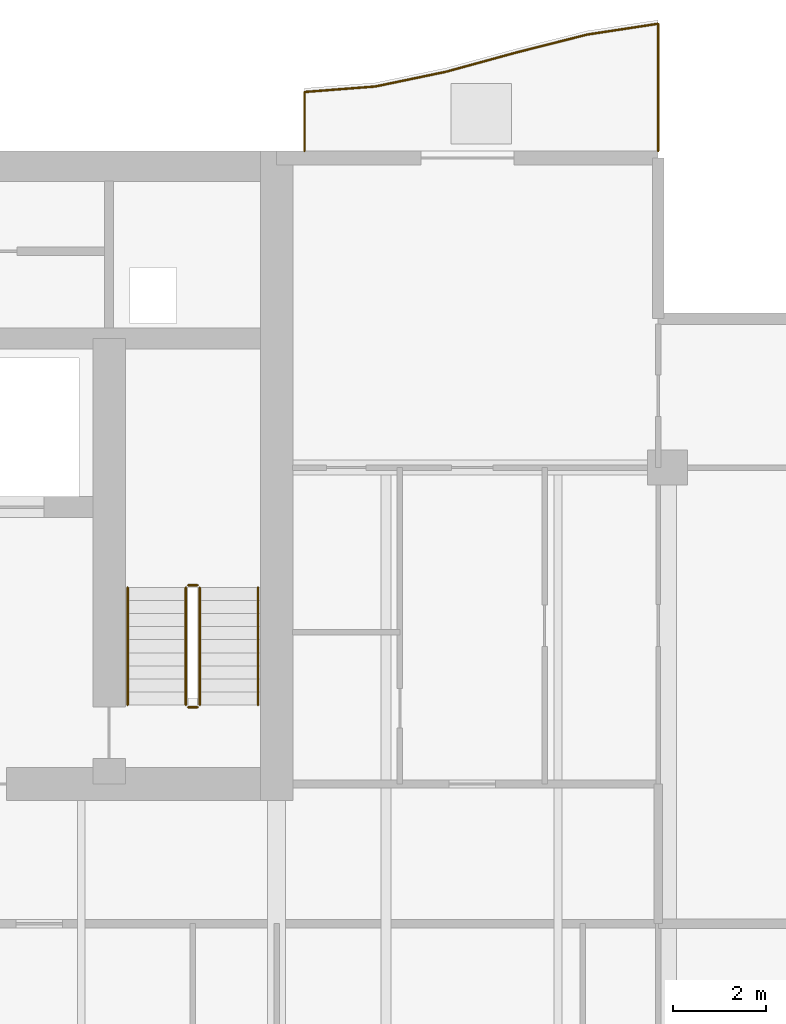
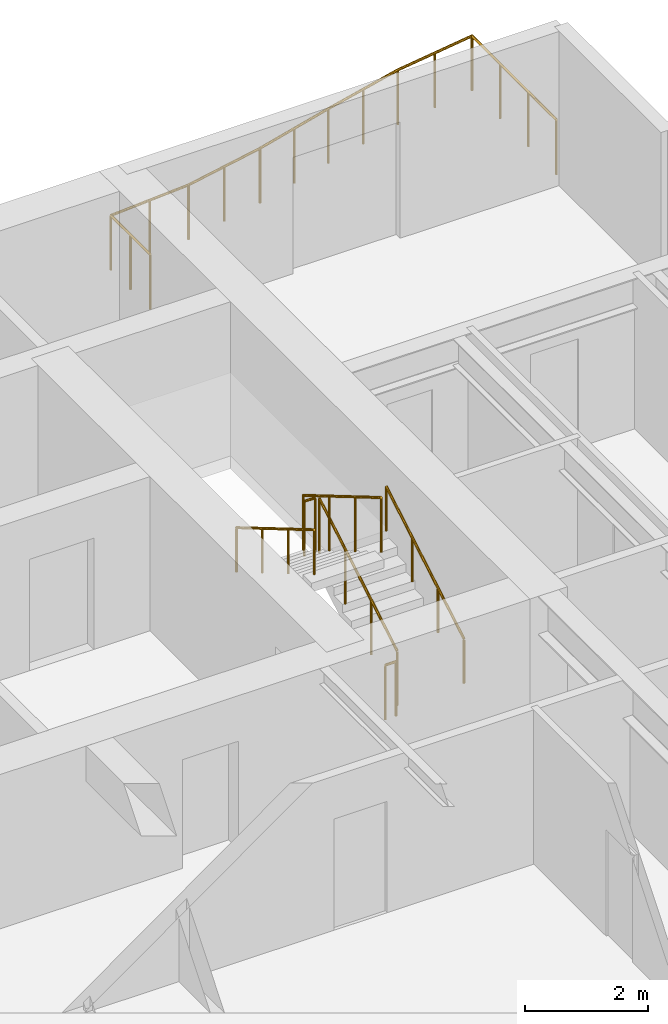
# One storey, part 16 of 17: 7 railings.
"""IFC4 building model written with IfcOpenShell, lengths in metres."""

import ifcopenshell
import ifcopenshell.guid

model = None  # the IFC model being written
_history = None  # IfcOwnerHistory: only IFC2X3 demands one
_inside = {}  # id of a spatial element -> (the spatial element, [elements in it])
_under = {}  # id of a project, library or spatial element -> (it, [spatial elements below it])
_declared = {}  # id of a project -> (the project, [libraries it declares])
_typed = {}  # id of a type object -> (the type object, [elements of that type])
_made_of = {}  # id of a material, layer set ... -> (it, [elements and type objects made of it])


def new_model(schema):
    """Start an empty IFC model of exactly this schema.

    Asked for "IFC4X3", IfcOpenShell would pick the latest addendum, in which some entities
    have other attributes; the version numbers below select the first issue.
    IFC2X3 requires an IfcOwnerHistory on every rooted entity: one is made here for all.
    """
    global model, _history
    if schema == "IFC4X3":
        model = ifcopenshell.file(schema_version=(4, 3, 0, 0))
    else:
        model = ifcopenshell.file(schema=schema)
    _inside.clear()
    _under.clear()
    _declared.clear()
    _typed.clear()
    _made_of.clear()
    _history = None
    if model.schema == "IFC2X3":
        org = make("IfcOrganization", Name="unknown")
        user = make(
            "IfcPersonAndOrganization",
            ThePerson=make("IfcPerson", FamilyName="unknown"),
            TheOrganization=org,
        )
        app = make(
            "IfcApplication",
            ApplicationDeveloper=org,
            Version="unknown",
            ApplicationFullName="unknown",
            ApplicationIdentifier="unknown",
        )
        _history = make(
            "IfcOwnerHistory",
            OwningUser=user,
            OwningApplication=app,
            ChangeAction="ADDED",
            CreationDate=0,
        )
    return model


def make(cls, **values):
    """One entity of the class cls with the attributes given. An attribute that is None is left unset."""
    return model.create_entity(
        cls, **{name: value for name, value in values.items() if value is not None}
    )


def rooted(cls, **values):
    """An entity with a GlobalId (a new one), such as an element, a storey or a relation."""
    return make(cls, GlobalId=ifcopenshell.guid.new(), OwnerHistory=_history, **values)


def si_unit(unit_type, name, prefix=None):
    """IfcSIUnit, for example si_unit("LENGTHUNIT", "METRE", prefix="MILLI")."""
    return make("IfcSIUnit", UnitType=unit_type, Prefix=prefix, Name=name)


def assignment(units):
    """IfcUnitAssignment: the units of a project."""
    return None if units is None else make("IfcUnitAssignment", Units=units)


def point(xyz):
    """IfcCartesianPoint."""
    return None if xyz is None else make("IfcCartesianPoint", Coordinates=xyz)


def direction(xyz):
    """IfcDirection."""
    return None if xyz is None else make("IfcDirection", DirectionRatios=xyz)


def frame(location, z_axis=None, x_axis=None):
    """IfcAxis2Placement3D, a coordinate frame: its origin and axes. An axis left out is left unset."""
    return make(
        "IfcAxis2Placement3D",
        Location=point(location),
        Axis=direction(z_axis),
        RefDirection=direction(x_axis),
    )


def frame_2d(location, x_axis=None):
    """IfcAxis2Placement2D, a coordinate frame in the plane: its origin and x axis."""
    return make(
        "IfcAxis2Placement2D", Location=point(location), RefDirection=direction(x_axis)
    )


def origin():
    """The frame at (0, 0, 0) with its axes left unset."""
    return frame((0.0, 0.0, 0.0))


def origin_2d():
    """The frame at (0, 0) in the plane with its x axis left unset."""
    return frame_2d((0.0, 0.0))


def place(relative_to, where):
    """IfcLocalPlacement: puts the frame where relative to a parent placement (None: the world)."""
    return make(
        "IfcLocalPlacement", PlacementRelTo=relative_to, RelativePlacement=where
    )


def context(
    kind, dimensions, precision=None, world=None, true_north=None, identifier=None
):
    """IfcGeometricRepresentationContext, for example the 3D "Model" context."""
    return make(
        "IfcGeometricRepresentationContext",
        ContextIdentifier=identifier,
        ContextType=kind,
        CoordinateSpaceDimension=dimensions,
        Precision=precision,
        WorldCoordinateSystem=world,
        TrueNorth=true_north,
    )


def subcontext(parent, identifier, kind, view, scale=None):
    """IfcGeometricRepresentationSubContext, for example "Body" below "Model"."""
    return make(
        "IfcGeometricRepresentationSubContext",
        ContextIdentifier=identifier,
        ContextType=kind,
        ParentContext=parent,
        TargetScale=scale,
        TargetView=view,
    )


def project(units=None, contexts=None):
    """IfcProject with its units and contexts."""
    return rooted(
        "IfcProject",
        Name="project",
        RepresentationContexts=contexts,
        UnitsInContext=assignment(units),
    )


def spatial(cls, under=None, at=None, **own):
    """A site, building, storey or space (cls), placed at a placement, below another one or the project."""
    s = rooted(cls, ObjectPlacement=at, **own)
    if under is not None:
        _under.setdefault(under.id(), (under, []))[1].append(s)
    return s


def profile(cls, at=None, kind="AREA", **sizes):
    """A parametric profile (cls). Its sizes go by their IFC names, for example OverallWidth=200.0."""
    return make(cls, ProfileType=kind, Position=at, **sizes)


def circle(**sizes):
    """IfcCircleProfileDef."""
    return profile("IfcCircleProfileDef", **sizes)


def extrude(swept, where, along, depth):
    """IfcExtrudedAreaSolid: the profile swept, set in the frame where, extruded along a direction by depth."""
    return make(
        "IfcExtrudedAreaSolid",
        SweptArea=swept,
        Position=where,
        ExtrudedDirection=direction(along),
        Depth=depth,
    )


def shape(context_of_items, identifier, shape_type, items):
    """IfcShapeRepresentation: the items that make up one representation, for example the "Body"."""
    return make(
        "IfcShapeRepresentation",
        ContextOfItems=context_of_items,
        RepresentationIdentifier=identifier,
        RepresentationType=shape_type,
        Items=items,
    )


def material(Name=None, Category=None):
    """IfcMaterial."""
    return make("IfcMaterial", Name=Name, Category=Category)


def made_of(thing, what):
    """Note that an element or type object is made of a material, layer set ...; save() writes the relation."""
    if what is not None:
        _made_of.setdefault(what.id(), (what, []))[1].append(thing)
    return thing


def type_object(cls, material=None, **own):
    """A type object (cls), such as IfcWallType, which elements share."""
    return made_of(rooted(cls, **own), material)


def element(
    cls,
    number,
    at=None,
    inside=None,
    cuts=None,
    type_object=None,
    material=None,
    context=None,
    identifier="Body",
    shape_type=None,
    held_by="IfcProductDefinitionShape",
    body=None,
    shapes=None,
    **own,
):
    """One element of the class cls, such as IfcWall. Its Tag is "e" and its number.

    at: its placement. inside: the storey or other place that contains it. cuts: it is an
    opening in that element (IfcRelVoidsElement). A single representation is given by context,
    identifier, shape_type and body (its items); several are given by shapes. held_by: the class
    of the entity that holds the representations. save() writes the other relations.
    """
    e = rooted(cls, Tag="e%d" % number, ObjectPlacement=at, **own)
    if body is not None:
        shapes = [shape(context, identifier, shape_type, body)]
    if shapes is not None:
        e.Representation = make(held_by, Representations=shapes)
    if inside is not None:
        _inside.setdefault(inside.id(), (inside, []))[1].append(e)
    if cuts is not None:
        rooted(
            "IfcRelVoidsElement", RelatingBuildingElement=cuts, RelatedOpeningElement=e
        )
    if type_object is not None:
        _typed.setdefault(type_object.id(), (type_object, []))[1].append(e)
    return made_of(e, material)


def aggregate(whole, parts):
    """IfcRelAggregates: a whole, such as a stair, and the parts it consists of."""
    return rooted("IfcRelAggregates", RelatingObject=whole, RelatedObjects=parts)


def save(model, path):
    """Write the relations noted so far, then the file.

    IfcRelAggregates (storeys below a building ...), IfcRelContainedInSpatialStructure (elements
    in a storey), IfcRelDefinesByType, IfcRelAssociatesMaterial and IfcRelDeclares: one each for
    every whole, place, type object, material and project.
    """
    for whole, parts in _under.values():
        aggregate(whole, parts)
    for where, things in _inside.values():
        rooted(
            "IfcRelContainedInSpatialStructure",
            RelatedElements=things,
            RelatingStructure=where,
        )
    for kind, things in _typed.values():
        rooted("IfcRelDefinesByType", RelatedObjects=things, RelatingType=kind)
    for what, things in _made_of.values():
        rooted("IfcRelAssociatesMaterial", RelatedObjects=things, RelatingMaterial=what)
    for by, libraries in _declared.values():
        rooted("IfcRelDeclares", RelatingContext=by, RelatedDefinitions=libraries)
    model.write(path)


model = new_model("IFC4")

# Units and contexts
model_context = context("Model", 3, precision=1e-05, world=origin(), true_north=direction((0.0, 1.0)))
body_context = subcontext(model_context, "Body", "Model", "MODEL_VIEW")
ifc_project = project(units=[si_unit("LENGTHUNIT", "METRE"), si_unit("AREAUNIT", "SQUARE_METRE"), si_unit("VOLUMEUNIT", "CUBIC_METRE"), si_unit("PLANEANGLEUNIT", "RADIAN"), si_unit("MASSUNIT", "GRAM", prefix="KILO")], contexts=[model_context])

# Site, building, storey
site_placement = place(None, origin())
site = spatial("IfcSite", under=ifc_project, at=site_placement, CompositionType="ELEMENT")
building_placement = place(site_placement, origin())
building = spatial("IfcBuilding", under=site, at=building_placement, Name="Caelmar Bay Residences", CompositionType="ELEMENT")
storey_placement = place(building_placement, frame((0.0, 0.0, 208.199951171875)))
storey = spatial("IfcBuildingStorey", under=building, at=storey_placement, Name="L58", CompositionType="ELEMENT", Elevation=208.199951171875)

# Railings
ifc_material_1 = material(Name="Anodised bronze handrail with laminated hurricane glass infill", Category="glass")
railing_type_1 = type_object("IfcRailingType", Name="RL-BAL-1100", PredefinedType="BALUSTRADE", material=ifc_material_1)
railing_1_placement = place(storey_placement, frame((67.699951171875, 50.60009765625, 0.0)))
element("IfcRailing", 1, at=railing_1_placement, inside=storey, type_object=railing_type_1, Name="L58 north_east Balcony Balustrade", PredefinedType="BALUSTRADE", context=body_context, shape_type="SweptSolid", body=[
    extrude(circle(Radius=0.02392578125, at=origin_2d()), frame((0.0, 0.0, 1.076171875), z_axis=(0.0, 1.0, 0.0), x_axis=(-1.0, 0.0, 0.0)), (0.0, 0.0, 1.0), 2.736572265625),
    extrude(circle(Radius=0.02392578125, at=origin_2d()), frame((0.0, 2.736572265625, 1.076171875), z_axis=(-0.988581843738, -0.150684897158, 0.0), x_axis=(0.150684897158, -0.988581843738, 0.0)), (0.0, 0.0, 1.0), 1.53759765625),
    extrude(circle(Radius=0.02392578125, at=origin_2d()), frame((-1.52001953125, 2.5048828125, 1.076171875), z_axis=(-0.969497919705, -0.245099538326, 0.0), x_axis=(0.245099538326, -0.969497919705, 0.0)), (0.0, 0.0, 1.0), 1.56787109375),
    extrude(circle(Radius=0.02392578125, at=origin_2d()), frame((-3.0400390625, 2.12060546875, 1.076171875), z_axis=(-0.964527479323, -0.263982464627, 0.0), x_axis=(0.263982464627, -0.964527479323, 0.0)), (0.0, 0.0, 1.0), 1.575927734375),
    extrude(circle(Radius=0.02392578125, at=origin_2d()), frame((-4.56005859375, 1.70458984375, 1.076171875), z_axis=(-0.978976494466, -0.20397309451, 0.0), x_axis=(0.20397309451, -0.978976494466, 0.0)), (0.0, 0.0, 1.0), 1.552490234375),
    extrude(circle(Radius=0.02392578125, at=origin_2d()), frame((-6.079833984375, 1.387939453125, 1.076171875), z_axis=(-0.997004349632, -0.077345502871, 0.0), x_axis=(0.077345502871, -0.997004349632, 0.0)), (0.0, 0.0, 1.0), 1.524658203125),
    extrude(circle(Radius=0.02392578125, at=origin_2d()), frame((-7.599853515625, 1.27001953125, 1.076171875), z_axis=(0.0, -1.0, 0.0), x_axis=(1.0, 0.0, 0.0)), (0.0, 0.0, 1.0), 1.27001953125),
    extrude(circle(Radius=0.02099609375, at=origin_2d()), origin(), (0.0, 0.0, 1.0), 1.052001953125),
    extrude(circle(Radius=0.02099609375, at=origin_2d()), frame((0.0, 0.912109375, 0.0)), (0.0, 0.0, 1.0), 1.052001953125),
    extrude(circle(Radius=0.02099609375, at=origin_2d()), frame((0.0, 1.824462890625, 0.0)), (0.0, 0.0, 1.0), 1.052001953125),
    extrude(circle(Radius=0.02099609375, at=origin_2d()), frame((0.0, 2.736572265625, 0.0)), (0.0, 0.0, 1.0), 1.052001953125),
    extrude(circle(Radius=0.02099609375, at=origin_2d()), frame((-0.760009765625, 2.62060546875, 0.0)), (0.0, 0.0, 1.0), 1.052001953125),
    extrude(circle(Radius=0.02099609375, at=origin_2d()), frame((-1.52001953125, 2.5048828125, 0.0)), (0.0, 0.0, 1.0), 1.052001953125),
    extrude(circle(Radius=0.02099609375, at=origin_2d()), frame((-2.280029296875, 2.312744140625, 0.0)), (0.0, 0.0, 1.0), 1.052001953125),
    extrude(circle(Radius=0.02099609375, at=origin_2d()), frame((-3.0400390625, 2.12060546875, 0.0)), (0.0, 0.0, 1.0), 1.052001953125),
    extrude(circle(Radius=0.02099609375, at=origin_2d()), frame((-3.800048828125, 1.91259765625, 0.0)), (0.0, 0.0, 1.0), 1.052001953125),
    extrude(circle(Radius=0.02099609375, at=origin_2d()), frame((-4.56005859375, 1.70458984375, 0.0)), (0.0, 0.0, 1.0), 1.052001953125),
    extrude(circle(Radius=0.02099609375, at=origin_2d()), frame((-5.31982421875, 1.54638671875, 0.0)), (0.0, 0.0, 1.0), 1.052001953125),
    extrude(circle(Radius=0.02099609375, at=origin_2d()), frame((-6.079833984375, 1.387939453125, 0.0)), (0.0, 0.0, 1.0), 1.052001953125),
    extrude(circle(Radius=0.02099609375, at=origin_2d()), frame((-6.83984375, 1.3291015625, 0.0)), (0.0, 0.0, 1.0), 1.052001953125),
    extrude(circle(Radius=0.02099609375, at=origin_2d()), frame((-7.599853515625, 1.27001953125, 0.0)), (0.0, 0.0, 1.0), 1.052001953125),
    extrude(circle(Radius=0.02099609375, at=origin_2d()), frame((-7.599853515625, 0.635009765625, 0.0)), (0.0, 0.0, 1.0), 1.052001953125),
    extrude(circle(Radius=0.02099609375, at=origin_2d()), frame((-7.599853515625, 0.0, 0.0)), (0.0, 0.0, 1.0), 1.052001953125),
])
ifc_material_2 = material(Name="Painted galvanized steel stair guard 1100 mm", Category="steel")
railing_type_2 = type_object("IfcRailingType", Name="RL-GRD-1100", PredefinedType="GUARDRAIL", material=ifc_material_2)
railing_2_placement = place(storey_placement, frame((57.85009765625, 38.699951171875, 0.1650390625)))
element("IfcRailing", 2, at=railing_2_placement, inside=storey, type_object=railing_type_2, Name="L58 ST2 stair guard 1", PredefinedType="GUARDRAIL", context=body_context, shape_type="SweptSolid", body=[
    extrude(circle(Radius=0.02392578125, at=origin_2d()), frame((0.0, 0.0, 1.076171875), z_axis=(0.0, 0.86152411907, 0.507716645641), x_axis=(-1.0, 0.0, 0.0)), (0.0, 0.0, 1.0), 2.925048828125),
    extrude(circle(Radius=0.02099609375, at=origin_2d()), origin(), (0.0, 0.0, 1.0), 1.052001953125),
    extrude(circle(Radius=0.02099609375, at=origin_2d()), frame((0.0, 0.840087890625, 0.4951171875)), (0.0, 0.0, 1.0), 1.052001953125),
    extrude(circle(Radius=0.02099609375, at=origin_2d()), frame((0.0, 1.679931640625, 0.989990234375)), (0.0, 0.0, 1.0), 1.052001953125),
    extrude(circle(Radius=0.02099609375, at=origin_2d()), frame((0.0, 2.52001953125, 1.485107421875)), (0.0, 0.0, 1.0), 1.052001953125),
])
railing_3_placement = place(storey_placement, frame((57.800048828125, 41.27001953125, 1.650146484375)))
element("IfcRailing", 3, at=railing_3_placement, inside=storey, type_object=railing_type_2, Name="L58 ST2 stair guard 2", PredefinedType="GUARDRAIL", context=body_context, shape_type="SweptSolid", body=[
    extrude(circle(Radius=0.02392578125, at=origin_2d()), frame((0.0, 0.0, 1.076171875), z_axis=(-1.0, 0.0, 0.0), x_axis=(0.0, -1.0, 0.0)), (0.0, 0.0, 1.0), 0.199951171875),
    extrude(circle(Radius=0.02099609375, at=origin_2d()), origin(), (0.0, 0.0, 1.0), 1.052001953125),
    extrude(circle(Radius=0.02099609375, at=origin_2d()), frame((-0.199951171875, 0.0, 0.0)), (0.0, 0.0, 1.0), 1.052001953125),
])
railing_4_placement = place(storey_placement, frame((57.550048828125, 41.219970703125, 1.81494140625)))
element("IfcRailing", 4, at=railing_4_placement, inside=storey, type_object=railing_type_2, Name="L58 ST2 stair guard 3", PredefinedType="GUARDRAIL", context=body_context, shape_type="SweptSolid", body=[
    extrude(circle(Radius=0.02392578125, at=origin_2d()), frame((0.0, 0.0, 1.076171875), z_axis=(0.0, -0.86152411907, 0.507716645641), x_axis=(1.0, 0.0, 0.0)), (0.0, 0.0, 1.0), 2.925048828125),
    extrude(circle(Radius=0.02099609375, at=origin_2d()), origin(), (0.0, 0.0, 1.0), 1.052001953125),
    extrude(circle(Radius=0.02099609375, at=origin_2d()), frame((0.0, -0.840087890625, 0.4951171875)), (0.0, 0.0, 1.0), 1.052001953125),
    extrude(circle(Radius=0.02099609375, at=origin_2d()), frame((0.0, -1.679931640625, 0.989990234375)), (0.0, 0.0, 1.0), 1.052001953125),
    extrude(circle(Radius=0.02099609375, at=origin_2d()), frame((0.0, -2.52001953125, 1.485107421875)), (0.0, 0.0, 1.0), 1.052001953125),
])
railing_5_placement = place(storey_placement, frame((57.800048828125, 38.64990234375, 0.0)))
element("IfcRailing", 5, at=railing_5_placement, inside=storey, type_object=railing_type_2, Name="L58 ST2 stair guard 4", PredefinedType="GUARDRAIL", context=body_context, shape_type="SweptSolid", body=[
    extrude(circle(Radius=0.02392578125, at=origin_2d()), frame((0.0, 0.0, 1.076171875), z_axis=(-1.0, 0.0, 0.0), x_axis=(0.0, -1.0, 0.0)), (0.0, 0.0, 1.0), 0.199951171875),
    extrude(circle(Radius=0.02099609375, at=origin_2d()), origin(), (0.0, 0.0, 1.0), 1.052001953125),
    extrude(circle(Radius=0.02099609375, at=origin_2d()), frame((-0.199951171875, 0.0, 0.0)), (0.0, 0.0, 1.0), 1.052001953125),
])
ifc_material_3 = material(Name="Brushed bronze stainless-steel tubular handrail 900 mm", Category="steel")
railing_type_3 = type_object("IfcRailingType", Name="RL-HND-900", PredefinedType="HANDRAIL", material=ifc_material_3)
railing_6_placement = place(storey_placement, frame((59.10009765625, 38.699951171875, 0.1650390625)))
element("IfcRailing", 6, at=railing_6_placement, inside=storey, type_object=railing_type_3, Name="L58 ST2 stair handrail 1", PredefinedType="HANDRAIL", context=body_context, shape_type="SweptSolid", body=[
    extrude(circle(Radius=0.02392578125, at=origin_2d()), frame((0.0, 0.0, 0.8759765625), z_axis=(0.0, 0.86152411907, 0.507716645641), x_axis=(-1.0, 0.0, 0.0)), (0.0, 0.0, 1.0), 2.925048828125),
    extrude(circle(Radius=0.02099609375, at=origin_2d()), origin(), (0.0, 0.0, 1.0), 0.851806640625),
    extrude(circle(Radius=0.02099609375, at=origin_2d()), frame((0.0, 0.840087890625, 0.4951171875)), (0.0, 0.0, 1.0), 0.851806640625),
    extrude(circle(Radius=0.02099609375, at=origin_2d()), frame((0.0, 1.679931640625, 0.989990234375)), (0.0, 0.0, 1.0), 0.851806640625),
    extrude(circle(Radius=0.02099609375, at=origin_2d()), frame((0.0, 2.52001953125, 1.485107421875)), (0.0, 0.0, 1.0), 0.851806640625),
])
railing_7_placement = place(storey_placement, frame((56.300048828125, 41.219970703125, 1.81494140625)))
element("IfcRailing", 7, at=railing_7_placement, inside=storey, type_object=railing_type_3, Name="L58 ST2 stair handrail 2", PredefinedType="HANDRAIL", context=body_context, shape_type="SweptSolid", body=[
    extrude(circle(Radius=0.02392578125, at=origin_2d()), frame((0.0, 0.0, 0.8759765625), z_axis=(0.0, -0.86152411907, 0.507716645641), x_axis=(1.0, 0.0, 0.0)), (0.0, 0.0, 1.0), 2.925048828125),
    extrude(circle(Radius=0.02099609375, at=origin_2d()), origin(), (0.0, 0.0, 1.0), 0.851806640625),
    extrude(circle(Radius=0.02099609375, at=origin_2d()), frame((0.0, -0.840087890625, 0.4951171875)), (0.0, 0.0, 1.0), 0.851806640625),
    extrude(circle(Radius=0.02099609375, at=origin_2d()), frame((0.0, -1.679931640625, 0.989990234375)), (0.0, 0.0, 1.0), 0.851806640625),
    extrude(circle(Radius=0.02099609375, at=origin_2d()), frame((0.0, -2.52001953125, 1.485107421875)), (0.0, 0.0, 1.0), 0.851806640625),
])

save(model, "model.ifc")
